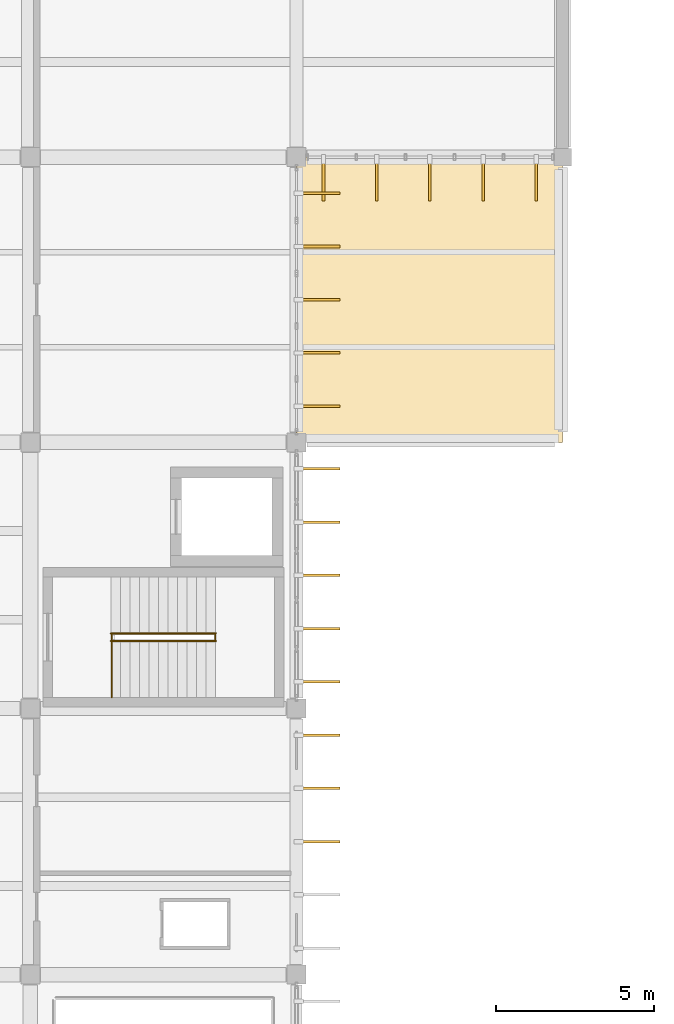
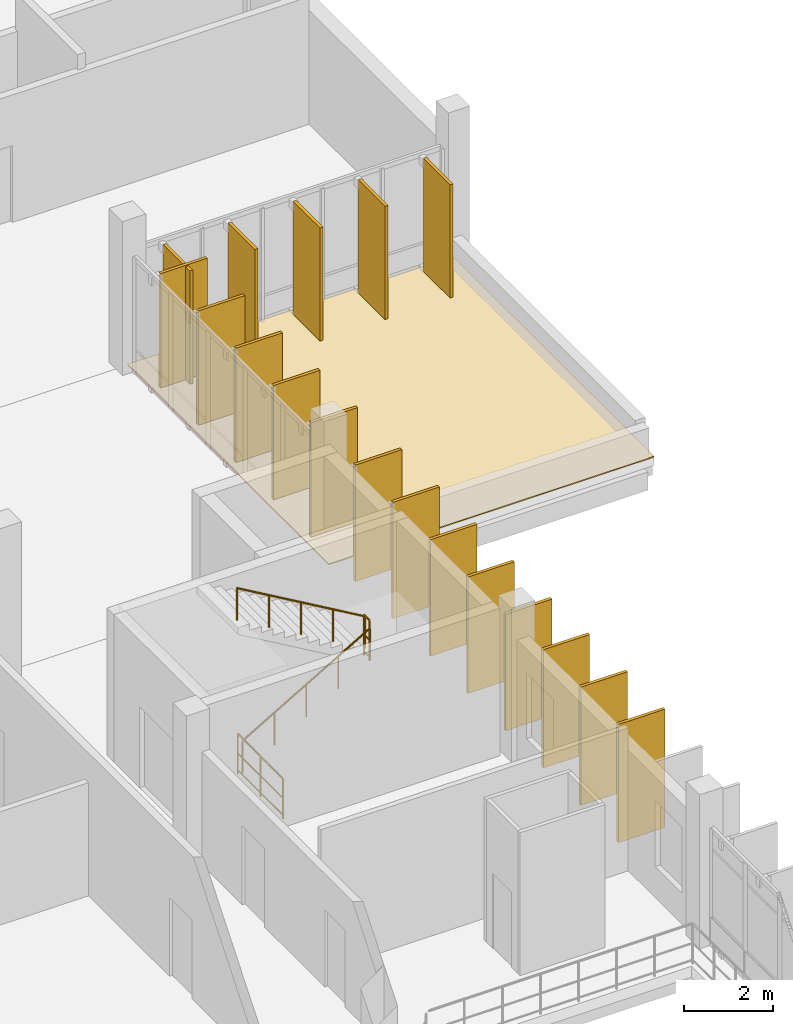
# One storey, part 128 of 130: 18 shading devices, 4 railings, 1 covering.
"""IFC4 building model written with IfcOpenShell, lengths in metres."""

from ifc_helpers import new_model, si_unit, direction, frame, origin, origin_2d, place, context, subcontext, project, spatial, polyline, rectangle, circle, outline, extrude, material, layer, layer_set, material_profile, profile_set, type_object, element, save


model = new_model("IFC4")

# Units and contexts
model_context = context("Model", 3, precision=1e-05, world=origin(), true_north=direction((0.0, 1.0)))
body_context = subcontext(model_context, "Body", "Model", "MODEL_VIEW")
ifc_project = project(units=[si_unit("LENGTHUNIT", "METRE"), si_unit("AREAUNIT", "SQUARE_METRE"), si_unit("VOLUMEUNIT", "CUBIC_METRE"), si_unit("PLANEANGLEUNIT", "RADIAN"), si_unit("MASSUNIT", "GRAM", prefix="KILO")], contexts=[model_context])

# Site, building, storey
site_placement = place(None, origin())
site = spatial("IfcSite", under=ifc_project, at=site_placement, CompositionType="ELEMENT")
building_placement = place(site_placement, origin())
building = spatial("IfcBuilding", under=site, at=building_placement, Name="Vireocrest Preparatory School", CompositionType="ELEMENT")
storey_placement = place(building_placement, frame((0.0, 0.0, 9.0)))
storey = spatial("IfcBuildingStorey", under=building, at=storey_placement, Name="L02", CompositionType="ELEMENT", Elevation=9.0)

# Railings
ifc_material_1 = material(Name="Brushed stainless steel AISI 316", Category="steel")
railing_type_1 = type_object("IfcRailingType", Name="Post-and-Rail Guard Balustrade 1120", PredefinedType="BALUSTRADE", material=ifc_material_1)
railing_1_placement = place(storey_placement, frame((103.3701171875, 77.75, 0.0)))
element("IfcRailing", 1, at=railing_1_placement, inside=storey, type_object=railing_type_1, Name="Arrival Landing Guard ST4-L01", PredefinedType="BALUSTRADE", context=body_context, shape_type="SweptSolid", body=[
    extrude(circle(Radius=0.02392578125, at=origin_2d()), frame((0.0, 0.0, 1.09619140625), z_axis=(0.0, 1.0, 0.0), x_axis=(-1.0, 0.0, 0.0)), (0.0, 0.0, 1.0), 2.02001953125),
    extrude(circle(Radius=0.01806640625, at=origin_2d()), frame((0.0, 0.0, 0.56005859375), z_axis=(0.0, 1.0, 0.0), x_axis=(-1.0, 0.0, 0.0)), (0.0, 0.0, 1.0), 2.02001953125),
    extrude(circle(Radius=0.01806640625, at=origin_2d()), frame((0.0, 0.0, 0.10009765625), z_axis=(0.0, 1.0, 0.0), x_axis=(-1.0, 0.0, 0.0)), (0.0, 0.0, 1.0), 2.02001953125),
    extrude(circle(Radius=0.02099609375, at=origin_2d()), origin(), (0.0, 0.0, 1.0), 1.072021484375),
    extrude(circle(Radius=0.02099609375, at=origin_2d()), frame((0.0, 1.010009765625, 0.0)), (0.0, 0.0, 1.0), 1.072021484375),
    extrude(circle(Radius=0.02099609375, at=origin_2d()), frame((0.0, 2.02001953125, 0.0)), (0.0, 0.0, 1.0), 1.072021484375),
])
railing_2_placement = place(storey_placement, frame((106.6298828125, 79.530029296875, 2.10009765625)))
element("IfcRailing", 2, at=railing_2_placement, inside=storey, type_object=railing_type_1, Name="Half-Landing Well Guard ST4-L02", PredefinedType="BALUSTRADE", context=body_context, shape_type="SweptSolid", body=[
    extrude(circle(Radius=0.02392578125, at=origin_2d()), frame((0.0, 0.0, 1.09619140625), z_axis=(0.0, 1.0, 0.0), x_axis=(-1.0, 0.0, 0.0)), (0.0, 0.0, 1.0), 0.239990234375),
    extrude(circle(Radius=0.01806640625, at=origin_2d()), frame((0.0, 0.0, 0.56005859375), z_axis=(0.0, 1.0, 0.0), x_axis=(-1.0, 0.0, 0.0)), (0.0, 0.0, 1.0), 0.239990234375),
    extrude(circle(Radius=0.01806640625, at=origin_2d()), frame((0.0, 0.0, 0.10009765625), z_axis=(0.0, 1.0, 0.0), x_axis=(-1.0, 0.0, 0.0)), (0.0, 0.0, 1.0), 0.239990234375),
    extrude(circle(Radius=0.02099609375, at=origin_2d()), origin(), (0.0, 0.0, 1.0), 1.072021484375),
    extrude(circle(Radius=0.02099609375, at=origin_2d()), frame((0.0, 0.239990234375, 0.0)), (0.0, 0.0, 1.0), 1.072021484375),
])
railing_type_2 = type_object("IfcRailingType", Name="Stair Pitch Handrail 900", PredefinedType="HANDRAIL", material=ifc_material_1)
railing_3_placement = place(storey_placement, frame((103.35009765625, 79.530029296875, 0.175048828125)))
element("IfcRailing", 3, at=railing_3_placement, inside=storey, type_object=railing_type_2, Name="Stair Handrail ST4-L02-HR1", PredefinedType="HANDRAIL", context=body_context, shape_type="SweptSolid", body=[
    extrude(circle(Radius=0.02392578125, at=origin_2d()), frame((0.0, 0.0, 0.8759765625), z_axis=(0.863760357493, 0.0, 0.503902812876), x_axis=(0.0, 1.0, 0.0)), (0.0, 0.0, 1.0), 3.8203125),
    extrude(circle(Radius=0.02099609375, at=origin_2d()), origin(), (0.0, 0.0, 1.0), 0.851806640625),
    extrude(circle(Radius=0.02099609375, at=origin_2d()), frame((0.824951171875, 0.0, 0.481201171875)), (0.0, 0.0, 1.0), 0.851806640625),
    extrude(circle(Radius=0.02099609375, at=origin_2d()), frame((1.64990234375, 0.0, 0.96240234375)), (0.0, 0.0, 1.0), 0.851806640625),
    extrude(circle(Radius=0.02099609375, at=origin_2d()), frame((2.474853515625, 0.0, 1.44384765625)), (0.0, 0.0, 1.0), 0.851806640625),
    extrude(circle(Radius=0.02099609375, at=origin_2d()), frame((3.2998046875, 0.0, 1.925048828125)), (0.0, 0.0, 1.0), 0.851806640625),
])
railing_4_placement = place(storey_placement, frame((106.64990234375, 79.77001953125, 2.27490234375)))
element("IfcRailing", 4, at=railing_4_placement, inside=storey, type_object=railing_type_2, Name="Stair Handrail ST4-L02-HR2", PredefinedType="HANDRAIL", context=body_context, shape_type="SweptSolid", body=[
    extrude(circle(Radius=0.02392578125, at=origin_2d()), frame((0.0, 0.0, 0.8759765625), z_axis=(-0.863760357493, 0.0, 0.503902812876), x_axis=(0.0, -1.0, 0.0)), (0.0, 0.0, 1.0), 3.8203125),
    extrude(circle(Radius=0.02099609375, at=origin_2d()), origin(), (0.0, 0.0, 1.0), 0.851806640625),
    extrude(circle(Radius=0.02099609375, at=origin_2d()), frame((-0.824951171875, 0.0, 0.481201171875)), (0.0, 0.0, 1.0), 0.851806640625),
    extrude(circle(Radius=0.02099609375, at=origin_2d()), frame((-1.64990234375, 0.0, 0.96240234375)), (0.0, 0.0, 1.0), 0.851806640625),
    extrude(circle(Radius=0.02099609375, at=origin_2d()), frame((-2.474853515625, 0.0, 1.44384765625)), (0.0, 0.0, 1.0), 0.851806640625),
    extrude(circle(Radius=0.02099609375, at=origin_2d()), frame((-3.2998046875, 0.0, 1.925048828125)), (0.0, 0.0, 1.0), 0.851806640625),
])

# Covering
ifc_material_2 = material(Name="TPO single-ply insulated roofing membrane")
ifc_layer = layer(ifc_material_2, 0.030029296875)
ifc_layer_set = layer_set([ifc_layer], Name="TPO single-ply insulated roofing membrane")
covering_type = type_object("IfcCoveringType", Name="TPO Insulated Single-Ply Roof Membrane", PredefinedType="ROOFING", material=ifc_layer_set)
covering_placement = place(storey_placement, origin())
element("IfcCovering", 5, at=covering_placement, inside=storey, type_object=covering_type, Name="Roof Membrane L02_NORTH_EAST_TIP_ROOF", PredefinedType="ROOFING", context=body_context, shape_type="SweptSolid", body=[
    extrude(outline(polyline([(109.199951171875, 85.800048828125), (117.60009765625, 85.800048828125), (117.60009765625, 94.800048828125), (109.199951171875, 94.800048828125), (109.199951171875, 85.800048828125)])), origin(), (0.0, 0.0, 1.0), 0.030029296875),
])

# Shading devices
ifc_material_3 = material(Name="Warm anodised aluminium EN AW-6063-T6", Category="aluminium")
ifc_material_profile = material_profile(ifc_material_3, rectangle(XDim=0.080078125, YDim=1.199951171875, at=origin_2d()), Name="FIN 80x1200")
ifc_profile_set = profile_set([ifc_material_profile], Name="Warm anodised aluminium EN AW-6063-T6")
shading_device_type = type_object("IfcShadingDeviceType", Name="Vertical Anodised Aluminium Solar Fin 1200", PredefinedType="USERDEFINED", material=ifc_profile_set)
for number, where, z_axis, x_axis, name in (
    (6, (109.97998046875, 73.199951171875, 0.02001953125), (0.0, 0.0, 1.0), (0.0, -1.0, 0.0), "Vertical Solar Fin FN1 L02-18-3"),
    (7, (109.97998046875, 74.8798828125, 0.02001953125), (0.0, 0.0, 1.0), (0.0, -1.0, 0.0), "Vertical Solar Fin FN1 L02-18-4"),
    (8, (109.97998046875, 76.56005859375, 0.02001953125), (0.0, 0.0, 1.0), (0.0, -1.0, 0.0), "Vertical Solar Fin FN1 L02-18-5"),
):
    element("IfcShadingDevice", number, at=place(storey_placement, frame(where, z_axis=z_axis, x_axis=x_axis)), inside=storey, type_object=shading_device_type, Name=name, ObjectType="FIN", PredefinedType="USERDEFINED", context=body_context, shape_type="SweptSolid", body=[
        extrude(rectangle(XDim=0.080078125, YDim=1.199951171875, at=origin_2d()), origin(), (0.0, 0.0, 1.0), 3.22998046875),
    ])
for number, where, z_axis, x_axis, name in (
    (9, (109.97998046875, 78.239990234375, 0.02001953125), (0.0, 0.0, 1.0), (0.0, -1.0, 0.0), "Vertical Solar Fin FN1 L02-19-1"),
    (10, (109.97998046875, 79.919921875, 0.02001953125), (0.0, 0.0, 1.0), (0.0, -1.0, 0.0), "Vertical Solar Fin FN1 L02-19-2"),
    (11, (109.97998046875, 81.60009765625, 0.02001953125), (0.0, 0.0, 1.0), (0.0, -1.0, 0.0), "Vertical Solar Fin FN1 L02-19-3"),
    (12, (109.97998046875, 83.280029296875, 0.02001953125), (0.0, 0.0, 1.0), (0.0, -1.0, 0.0), "Vertical Solar Fin FN1 L02-19-4"),
    (13, (109.97998046875, 84.9599609375, 0.02001953125), (0.0, 0.0, 1.0), (0.0, -1.0, 0.0), "Vertical Solar Fin FN1 L02-19-5"),
):
    element("IfcShadingDevice", number, at=place(storey_placement, frame(where, z_axis=z_axis, x_axis=x_axis)), inside=storey, type_object=shading_device_type, Name=name, ObjectType="FIN", PredefinedType="USERDEFINED", context=body_context, shape_type="SweptSolid", body=[
        extrude(rectangle(XDim=0.080078125, YDim=1.199951171875, at=origin_2d()), origin(), (0.0, 0.0, 1.0), 3.179931640625),
    ])
for number, where, z_axis, x_axis, name in (
    (14, (109.97998046875, 86.93994140625, 0.02001953125), (0.0, 0.0, 1.0), (0.0, -1.0, 0.0), "Vertical Solar Fin FN1 L02-20-1"),
    (15, (109.97998046875, 88.6201171875, 0.02001953125), (0.0, 0.0, 1.0), (0.0, -1.0, 0.0), "Vertical Solar Fin FN1 L02-20-2"),
    (16, (109.97998046875, 90.300048828125, 0.02001953125), (0.0, 0.0, 1.0), (0.0, -1.0, 0.0), "Vertical Solar Fin FN1 L02-20-3"),
    (17, (109.97998046875, 91.97998046875, 0.02001953125), (0.0, 0.0, 1.0), (0.0, -1.0, 0.0), "Vertical Solar Fin FN1 L02-20-4"),
    (18, (109.97998046875, 93.659912109375, 0.02001953125), (0.0, 0.0, 1.0), (0.0, -1.0, 0.0), "Vertical Solar Fin FN1 L02-20-5"),
):
    element("IfcShadingDevice", number, at=place(storey_placement, frame(where, z_axis=z_axis, x_axis=x_axis)), inside=storey, type_object=shading_device_type, Name=name, ObjectType="FIN", PredefinedType="USERDEFINED", context=body_context, shape_type="SweptSolid", body=[
        extrude(rectangle(XDim=0.080078125, YDim=1.199951171875, at=origin_2d()), origin(), (0.0, 0.0, 1.0), 3.1298828125),
    ])
for number, where, z_axis, x_axis, name in (
    (19, (110.052490234375, 94.02001953125, 0.02001953125), (0.0, 0.0, 1.0), (-1.0, 0.0, 0.0), "Vertical Solar Fin FN1 L02-21-1"),
    (20, (111.732421875, 94.02001953125, 0.02001953125), (0.0, 0.0, 1.0), (-1.0, 0.0, 0.0), "Vertical Solar Fin FN1 L02-21-2"),
    (21, (113.41259765625, 94.02001953125, 0.02001953125), (0.0, 0.0, 1.0), (-1.0, 0.0, 0.0), "Vertical Solar Fin FN1 L02-21-3"),
    (22, (115.092529296875, 94.02001953125, 0.02001953125), (0.0, 0.0, 1.0), (-1.0, 0.0, 0.0), "Vertical Solar Fin FN1 L02-21-4"),
    (23, (116.7724609375, 94.02001953125, 0.02001953125), (0.0, 0.0, 1.0), (-1.0, 0.0, 0.0), "Vertical Solar Fin FN1 L02-21-5"),
):
    element("IfcShadingDevice", number, at=place(storey_placement, frame(where, z_axis=z_axis, x_axis=x_axis)), inside=storey, type_object=shading_device_type, Name=name, ObjectType="FIN", PredefinedType="USERDEFINED", context=body_context, shape_type="SweptSolid", body=[
        extrude(rectangle(XDim=0.080078125, YDim=1.199951171875, at=origin_2d()), origin(), (0.0, 0.0, 1.0), 3.10009765625),
    ])

save(model, "model.ifc")
